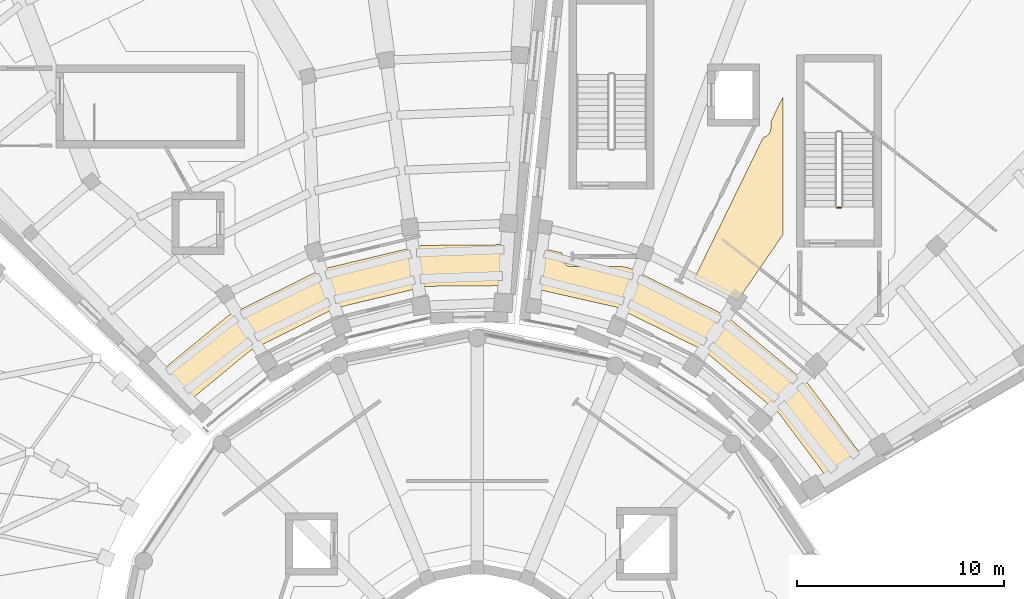
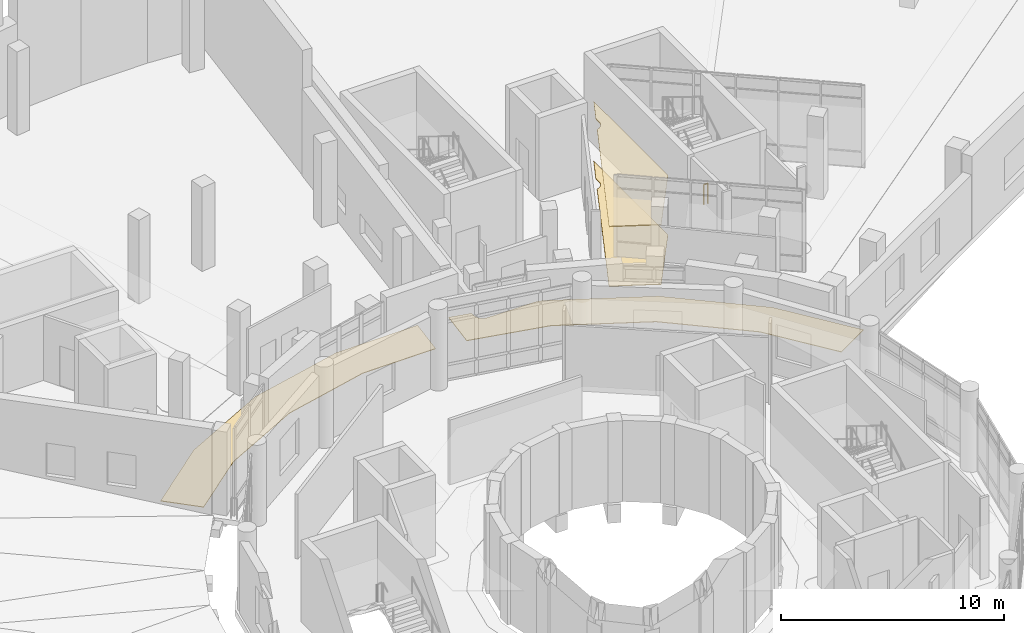
# One storey, part 46 of 49: 4 coverings, 1 railing.
"""IFC4 building model written with IfcOpenShell, lengths in metres."""

from ifc_helpers import new_model, si_unit, direction, frame, origin, origin_2d, place, context, subcontext, project, spatial, polyline, circle, outline, extrude, material, layer, layer_set, type_object, element, save


model = new_model("IFC4")

# Units and contexts
model_context = context("Model", 3, precision=1e-05, world=origin(), true_north=direction((0.0, 1.0)))
body_context = subcontext(model_context, "Body", "Model", "MODEL_VIEW")
ifc_project = project(units=[si_unit("LENGTHUNIT", "METRE"), si_unit("AREAUNIT", "SQUARE_METRE"), si_unit("VOLUMEUNIT", "CUBIC_METRE"), si_unit("PLANEANGLEUNIT", "RADIAN"), si_unit("MASSUNIT", "GRAM", prefix="KILO")], contexts=[model_context])

# Site, building, storey
site_placement = place(None, origin())
site = spatial("IfcSite", under=ifc_project, at=site_placement, CompositionType="ELEMENT")
building_placement = place(site_placement, origin())
building = spatial("IfcBuilding", under=site, at=building_placement, Name="Soyqirgoq Riverine Aquarium", CompositionType="ELEMENT")
storey_placement = place(building_placement, frame((0.0, 0.0, 15.0)))
storey = spatial("IfcBuildingStorey", under=building, at=storey_placement, Name="L04", CompositionType="ELEMENT", Elevation=15.0)

# Covering
ifc_material_1 = material(Name="Perforated mineral-fibre acoustic ceiling", Category="gypsum")
ifc_layer_1 = layer(ifc_material_1, 0.050048828125)
ifc_layer_set_1 = layer_set([ifc_layer_1], Name="Perforated mineral-fibre acoustic ceiling")
covering_type_1 = type_object("IfcCoveringType", Name="AcousticBaffleCeiling_50", PredefinedType="CEILING", material=ifc_layer_set_1)
covering_1_placement = place(storey_placement, frame((0.0, 0.0, 3.25)))
element("IfcCovering", 1, at=covering_1_placement, inside=storey, type_object=covering_type_1, Name="Microbiology Clean Suite Suspended Ceiling", PredefinedType="CEILING", context=body_context, shape_type="SweptSolid", body=[
    extrude(outline(polyline([(68.5859375, 76.282958984375), (68.54296875, 76.31494140625), (68.4970703125, 76.341064453125), (66.5029296875, 77.324951171875), (69.8359375, 84.157958984375), (69.837890625, 84.158935546875), (69.881103515625, 84.1689453125), (69.922119140625, 84.18408203125), (69.9619140625, 84.202880859375), (70.0, 84.22607421875), (70.034912109375, 84.251953125), (70.068115234375, 84.281982421875), (70.097900390625, 84.31494140625), (70.1240234375, 84.35009765625), (70.14697265625, 84.387939453125), (70.166015625, 84.427978515625), (70.180908203125, 84.468994140625), (70.19091796875, 84.511962890625), (70.197998046875, 84.555908203125), (70.199951171875, 84.60009765625), (70.199951171875, 84.905029296875), (70.800048828125, 86.135986328125), (70.800048828125, 79.469970703125), (68.60107421875, 76.27099609375), (68.5859375, 76.282958984375)])), origin(), (0.0, 0.0, 1.0), 0.050048828125),
])

# Railing
ifc_material_2 = material(Name="Painted steel infill stair-well guardrail", Category="steel")
railing_type = type_object("IfcRailingType", Name="StairWellGuard_1120", PredefinedType="GUARDRAIL", material=ifc_material_2)
railing_placement = place(storey_placement, frame((73.60009765625, 80.75, 0.0)))
element("IfcRailing", 2, at=railing_placement, inside=storey, type_object=railing_type, Name="L04 ST-6 stair guard 4", PredefinedType="GUARDRAIL", context=body_context, shape_type="SweptSolid", body=[
    extrude(circle(Radius=0.02392578125, at=origin_2d()), frame((0.0, 0.0, 1.09619140625), z_axis=(-1.0, 0.0, 0.0), x_axis=(0.0, -1.0, 0.0)), (0.0, 0.0, 1.0), 0.2001953125),
    extrude(circle(Radius=0.02099609375, at=origin_2d()), origin(), (0.0, 0.0, 1.0), 1.072021484375),
    extrude(circle(Radius=0.02099609375, at=origin_2d()), frame((-0.2001953125, 0.0, 0.0)), (0.0, 0.0, 1.0), 1.072021484375),
])

# Coverings
ifc_material_3 = material(Name="Polished Chirchiq river-pebble terrazzo flooring", Category="concrete")
ifc_layer_2 = layer(ifc_material_3, 0.030029296875)
ifc_layer_set_2 = layer_set([ifc_layer_2], Name="Polished Chirchiq river-pebble terrazzo flooring")
covering_type_2 = type_object("IfcCoveringType", Name="TerrazzoFloorFinish_30", PredefinedType="FLOORING", material=ifc_layer_set_2)
covering_2_placement = place(storey_placement, origin())
element("IfcCovering", 3, at=covering_2_placement, inside=storey, type_object=covering_type_2, Name="V4 Gallery Circulation Corridor Floor Finish", PredefinedType="FLOORING", context=body_context, shape_type="SweptSolid", body=[
    extrude(outline(polyline([(57.3359375, 76.986083984375), (53.60107421875, 76.952880859375), (53.550048828125, 76.949951171875), (53.5, 76.94091796875), (49.174072265625, 75.903076171875), (49.125, 75.887939453125), (49.0791015625, 75.867919921875), (45.096923828125, 73.883056640625), (45.052978515625, 73.85693359375), (45.011962890625, 73.826904296875), (42.12890625, 71.450927734375), (40.695068359375, 72.8359375), (43.965087890625, 75.531982421875), (48.44189453125, 77.764892578125), (53.306884765625, 78.931884765625), (57.544921875, 78.968994140625), (57.3359375, 76.986083984375)])), origin(), (0.0, 0.0, 1.0), 0.030029296875),
])
covering_3_placement = place(storey_placement, origin())
element("IfcCovering", 4, at=covering_3_placement, inside=storey, type_object=covering_type_2, Name="V5 Gallery Circulation Corridor Floor Finish", PredefinedType="FLOORING", context=body_context, shape_type="SweptSolid", body=[
    extrude(outline(polyline([(59.055908203125, 78.806884765625), (60.110107421875, 78.568115234375), (60.110107421875, 78.360107421875), (60.112060546875, 78.31591796875), (60.118896484375, 78.27197265625), (60.12890625, 78.22900390625), (60.14404296875, 78.18798828125), (60.1630859375, 78.14794921875), (60.18603515625, 78.110107421875), (60.2119140625, 78.074951171875), (60.241943359375, 78.0419921875), (60.27490234375, 78.011962890625), (60.31005859375, 77.986083984375), (60.347900390625, 77.962890625), (60.387939453125, 77.944091796875), (60.428955078125, 77.928955078125), (60.471923828125, 77.9189453125), (60.51611328125, 77.912109375), (60.56005859375, 77.909912109375), (63.02001953125, 77.909912109375), (63.3759765625, 77.8291015625), (68.034912109375, 75.531982421875), (72.029052734375, 72.2099609375), (74.678955078125, 68.662109375), (72.951904296875, 67.6650390625), (70.614013671875, 70.794921875), (70.580078125, 70.8359375), (70.541015625, 70.8720703125), (66.989990234375, 73.825927734375), (66.947021484375, 73.85693359375), (66.90087890625, 73.883056640625), (62.758056640625, 75.926025390625), (62.7099609375, 75.947021484375), (62.658935546875, 75.9619140625), (58.847900390625, 76.823974609375), (59.055908203125, 78.806884765625)])), origin(), (0.0, 0.0, 1.0), 0.030029296875),
])
covering_4_placement = place(storey_placement, origin())
element("IfcCovering", 5, at=covering_4_placement, inside=storey, type_object=covering_type_2, Name="Microbiology Clean Suite Floor Finish", PredefinedType="FLOORING", context=body_context, shape_type="SweptSolid", body=[
    extrude(outline(polyline([(68.5859375, 76.282958984375), (68.54296875, 76.31494140625), (68.4970703125, 76.341064453125), (66.5029296875, 77.324951171875), (69.8359375, 84.157958984375), (69.837890625, 84.158935546875), (69.881103515625, 84.1689453125), (69.922119140625, 84.18408203125), (69.9619140625, 84.202880859375), (70.0, 84.22607421875), (70.034912109375, 84.251953125), (70.068115234375, 84.281982421875), (70.097900390625, 84.31494140625), (70.1240234375, 84.35009765625), (70.14697265625, 84.387939453125), (70.166015625, 84.427978515625), (70.180908203125, 84.468994140625), (70.19091796875, 84.511962890625), (70.197998046875, 84.555908203125), (70.199951171875, 84.60009765625), (70.199951171875, 84.905029296875), (70.800048828125, 86.135986328125), (70.800048828125, 79.469970703125), (68.60107421875, 76.27099609375), (68.5859375, 76.282958984375)])), origin(), (0.0, 0.0, 1.0), 0.030029296875),
])

save(model, "model.ifc")
